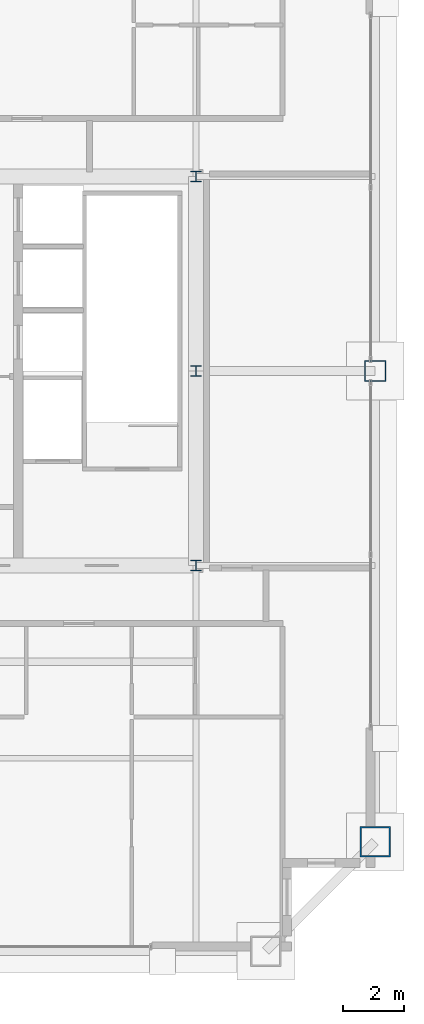
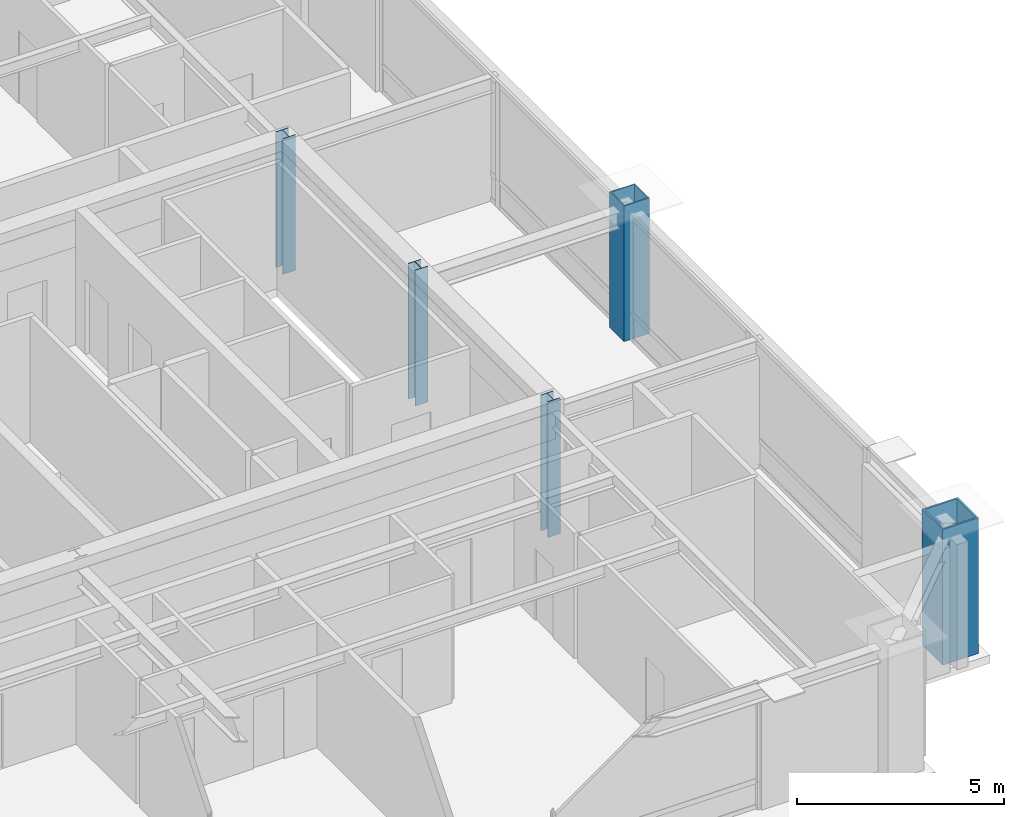
# One storey, part 2 of 34: 5 columns.
"""IFC4 building model written with IfcOpenShell, lengths in metres."""

from ifc_helpers import new_model, si_unit, direction, frame, origin, origin_2d, place, context, subcontext, project, spatial, hollow_rectangle, i_section, extrude, source, transform, mapped, material, material_profile, profile_set, type_object, element, save


model = new_model("IFC4")

# Units and contexts
model_context = context("Model", 3, precision=1e-05, world=origin(), true_north=direction((0.0, 1.0)))
body_context = subcontext(model_context, "Body", "Model", "MODEL_VIEW")
ifc_project = project(units=[si_unit("LENGTHUNIT", "METRE"), si_unit("AREAUNIT", "SQUARE_METRE"), si_unit("VOLUMEUNIT", "CUBIC_METRE"), si_unit("PLANEANGLEUNIT", "RADIAN"), si_unit("MASSUNIT", "GRAM", prefix="KILO"), si_unit("THERMODYNAMICTEMPERATUREUNIT", "KELVIN"), si_unit("POWERUNIT", "WATT")], contexts=[model_context])

# Site, building, storey
site_placement = place(None, origin())
site = spatial("IfcSite", under=ifc_project, at=site_placement, CompositionType="ELEMENT")
building_placement = place(site_placement, origin())
building = spatial("IfcBuilding", under=site, at=building_placement, Name="Yuzanri Waterfront Tower", CompositionType="ELEMENT")
storey_placement = place(building_placement, frame((0.0, 0.0, 347.199951171875)))
storey = spatial("IfcBuildingStorey", under=building, at=storey_placement, Name="L93", CompositionType="ELEMENT", Elevation=347.199951171875)

# Columns
ifc_material_1 = material(Name="Steel Q355B", Category="steel")
ifc_material_profile_1 = material_profile(ifc_material_1, i_section(OverallWidth=0.35009765625, OverallDepth=0.35009765625, WebThickness=0.011962890625, FlangeThickness=0.01904296875, at=origin_2d()), Name="HW 350x350x12x19")
ifc_profile_set_1 = profile_set([ifc_material_profile_1], Name="Steel Q355B")
column_type_1 = type_object("IfcColumnType", Name="Core Post Q355B HW 350x350x12x19", PredefinedType="COLUMN", material=ifc_profile_set_1)
shared_shape_1 = source(origin(), body_context, "Body", "SweptSolid", [
    extrude(i_section(OverallWidth=0.35009765625, OverallDepth=0.35009765625, WebThickness=0.011962890625, FlangeThickness=0.01904296875, at=origin_2d()), origin(), (0.0, 0.0, 1.0), 4.0),
])
for number, where, z_axis, x_axis, name in (
    (1, (50.199951171875, 19.39990234375, 0.0), (0.0, 0.0, 1.0), (1.0, 0.0, 0.0), "L93 Core Boundary Column CP3"),
    (2, (50.199951171875, 25.800048828125, 0.0), (0.0, 0.0, 1.0), (1.0, 0.0, 0.0), "L93 Core Boundary Column CP5"),
    (3, (50.199951171875, 32.199951171875, 0.0), (0.0, 0.0, 1.0), (1.0, 0.0, 0.0), "L93 Core Boundary Column CP8"),
):
    element("IfcColumn", number, at=place(storey_placement, frame(where, z_axis=z_axis, x_axis=x_axis)), inside=storey, type_object=column_type_1, Name=name, PredefinedType="COLUMN", context=body_context, shape_type="MappedRepresentation", body=[
        mapped(shared_shape_1, transform((0.0, 0.0, 0.0), scale=1.0)),
    ])
ifc_material_2 = material(Name="Steel Q390GJC", Category="steel")
ifc_material_profile_2 = material_profile(ifc_material_2, hollow_rectangle(XDim=1.0, YDim=1.0, WallThickness=0.048095703125, at=origin_2d()), Name="RHS 1000x1000x48")
ifc_profile_set_2 = profile_set([ifc_material_profile_2], Name="Steel Q390GJC")
column_type_2 = type_object("IfcColumnType", Name="Mega Column Q390GJC RHS 1000x1000x48", PredefinedType="COLUMN", material=ifc_profile_set_2)
shared_shape_2 = source(origin(), body_context, "Body", "SweptSolid", [
    extrude(hollow_rectangle(XDim=1.0, YDim=1.0, WallThickness=0.048095703125, at=origin_2d()), origin(), (0.0, 0.0, 1.0), 4.0),
])
column_1_placement = place(storey_placement, frame((56.10009765625, 10.300048828125, 0.0), z_axis=(0.0, 0.0, 1.0), x_axis=(1.0, 0.0, 0.0)))
element("IfcColumn", 4, at=column_1_placement, inside=storey, type_object=column_type_2, Name="L93 Perimeter Mega Column E1", PredefinedType="COLUMN", context=body_context, shape_type="MappedRepresentation", body=[
    mapped(shared_shape_2, transform((0.0, 0.0, 0.0), scale=1.0)),
])
ifc_material_3 = material(Name="Steel Q355B", Category="steel")
ifc_material_profile_3 = material_profile(ifc_material_3, hollow_rectangle(XDim=0.699951171875, YDim=0.699951171875, WallThickness=0.031982421875, at=origin_2d()), Name="RHS 700x700x32")
ifc_profile_set_3 = profile_set([ifc_material_profile_3], Name="Steel Q355B")
column_type_3 = type_object("IfcColumnType", Name="Frame Column Q355B RHS 700x700x32", PredefinedType="COLUMN", material=ifc_profile_set_3)
shared_shape_3 = source(origin(), body_context, "Body", "SweptSolid", [
    extrude(hollow_rectangle(XDim=0.699951171875, YDim=0.699951171875, WallThickness=0.031982421875, at=origin_2d()), origin(), (0.0, 0.0, 1.0), 4.0),
])
column_2_placement = place(storey_placement, frame((56.10009765625, 25.800048828125, 0.0), z_axis=(0.0, 0.0, 1.0), x_axis=(1.0, 0.0, 0.0)))
element("IfcColumn", 5, at=column_2_placement, inside=storey, type_object=column_type_3, Name="L93 Perimeter Frame Column E2", PredefinedType="COLUMN", context=body_context, shape_type="MappedRepresentation", body=[
    mapped(shared_shape_3, transform((0.0, 0.0, 0.0), scale=1.0)),
])

save(model, "model.ifc")
